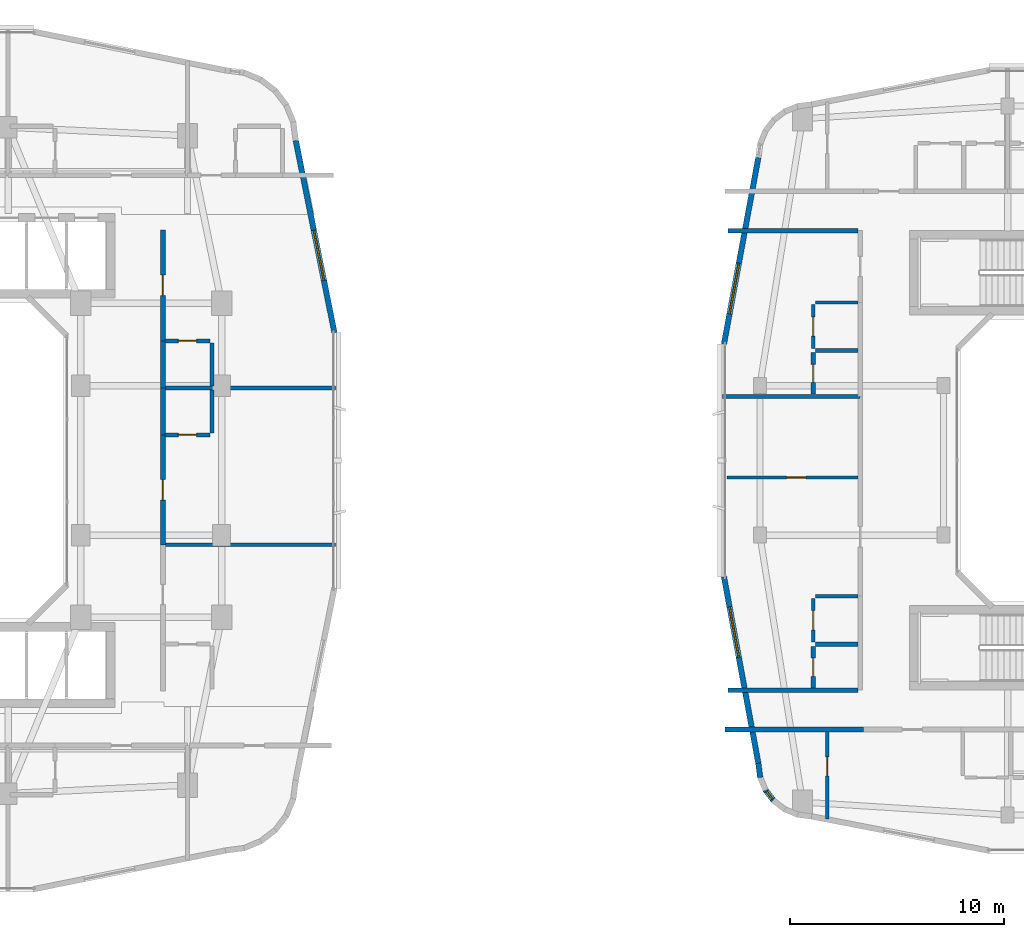
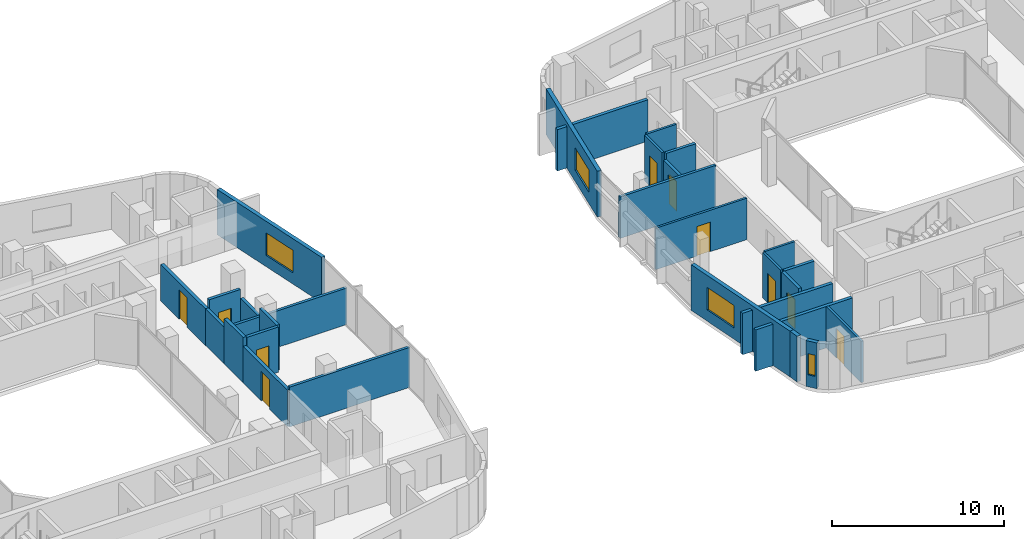
# One storey, part 15 of 26: 29 walls, 10 doors, 4 windows, 14 openings.
"""IFC4 building model written with IfcOpenShell, lengths in metres."""

from ifc_helpers import new_model, si_unit, derived_unit, direction, frame, frame_2d, origin, place, context, subcontext, project, spatial, rectangle, extrude, material, layer, layer_set, type_object, element, fill, save


model = new_model("IFC4")

# Units and contexts
model_context = context("Model", 3, precision=1e-05, world=origin(), true_north=direction((0.0, 1.0)))
body_context = subcontext(model_context, "Body", "Model", "MODEL_VIEW")
ifc_project = project(units=[si_unit("LENGTHUNIT", "METRE"), si_unit("AREAUNIT", "SQUARE_METRE"), si_unit("VOLUMEUNIT", "CUBIC_METRE"), si_unit("PLANEANGLEUNIT", "RADIAN"), si_unit("MASSUNIT", "GRAM", prefix="KILO"), derived_unit("THERMALTRANSMITTANCEUNIT", [(si_unit("POWERUNIT", "WATT"), 1), (si_unit("LENGTHUNIT", "METRE"), -2), (si_unit("THERMODYNAMICTEMPERATUREUNIT", "KELVIN"), -1)])], contexts=[model_context])

# Site, building, storey
site_placement = place(None, origin())
site = spatial("IfcSite", under=ifc_project, at=site_placement, CompositionType="ELEMENT")
building_placement = place(site_placement, origin())
building = spatial("IfcBuilding", under=site, at=building_placement, Name="Kivonza Crest Hotel", CompositionType="ELEMENT")
storey_placement = place(building_placement, frame((0.0, 0.0, 102.0)))
storey = spatial("IfcBuildingStorey", under=building, at=storey_placement, Name="L27", CompositionType="ELEMENT", Elevation=102.0)

# Walls
ifc_material_1 = material(Name="High-density acoustic masonry inter-tenancy wall", Category="masonry")
ifc_layer_1 = layer(ifc_material_1, 0.179931640625)
ifc_layer_set_1 = layer_set([ifc_layer_1], Name="High-density acoustic masonry inter-tenancy wall")
wall_type_1 = type_object("IfcWallType", Name="WL-ACOU-180", PredefinedType="SOLIDWALL", material=ifc_layer_set_1)
wall_1_placement = place(storey_placement, frame((33.050048828125, 21.049072265625, 0.0), z_axis=(0.0, 0.0, 1.0), x_axis=(1.0, 0.0, 0.0)))
element("IfcWall", 1, at=wall_1_placement, inside=storey, type_object=wall_type_1, Name="L27 interior partition WA-L27-T1E-DIV1", PredefinedType="SOLIDWALL", context=body_context, shape_type="SweptSolid", body=[
    extrude(rectangle(XDim=8.08984375, YDim=0.179931640625, at=frame_2d((4.044921875, 0.0))), origin(), (0.0, 0.0, 1.0), 2.8349609375),
])
wall_2_placement = place(storey_placement, frame((33.050048828125, 28.39306640625, 0.0), z_axis=(0.0, 0.0, 1.0), x_axis=(1.0, 0.0, 0.0)))
element("IfcWall", 2, at=wall_2_placement, inside=storey, type_object=wall_type_1, Name="L27 interior partition WA-L27-T1E-DIV2", PredefinedType="SOLIDWALL", context=body_context, shape_type="SweptSolid", body=[
    extrude(rectangle(XDim=8.08984375, YDim=0.179931640625, at=frame_2d((4.044921875, 0.0))), origin(), (0.0, 0.0, 1.0), 2.594970703125),
])
wall_3_placement = place(storey_placement, frame((59.260009765625, 28.0, 0.0), z_axis=(0.0, 0.0, 1.0), x_axis=(1.0, 0.0, 0.0)))
element("IfcWall", 3, at=wall_3_placement, inside=storey, type_object=wall_type_1, Name="L27 interior partition WA-L27-T2W-DIV1", PredefinedType="SOLIDWALL", context=body_context, shape_type="SweptSolid", body=[
    extrude(rectangle(XDim=6.43994140625, YDim=0.179931640625, at=frame_2d((3.219970703125, 0.0))), origin(), (0.0, 0.0, 1.0), 2.945068359375),
])
ifc_material_2 = material(Name="Autoclaved aerated concrete blockwork", Category="masonry")
ifc_layer_2 = layer(ifc_material_2, 0.219970703125)
ifc_layer_set_2 = layer_set([ifc_layer_2], Name="Autoclaved aerated concrete blockwork")
wall_type_2 = type_object("IfcWallType", Name="WL-ACOU-220", PredefinedType="SOLIDWALL", material=ifc_layer_set_2)
wall_4_placement = place(storey_placement, frame((33.050048828125, 26.193115234375, 0.0), z_axis=(0.0, 0.0, 1.0), x_axis=(0.0, 1.0, 0.0)))
element("IfcWall", 4, at=wall_4_placement, inside=storey, type_object=wall_type_2, Name="L27 interior partition WA-L27-E11-BCORR", PredefinedType="SOLIDWALL", context=body_context, shape_type="SweptSolid", body=[
    extrude(rectangle(XDim=2.199951171875, YDim=0.219970703125, at=frame_2d((1.10009765625, 0.0))), origin(), (0.0, 0.0, 1.0), 3.219970703125),
])

# Wall, opening, door
wall_5_placement = place(storey_placement, frame((33.050048828125, 21.049072265625, 0.0), z_axis=(0.0, 0.0, 1.0), x_axis=(0.0, 1.0, 0.0)))
wall_5 = element("IfcWall", 5, at=wall_5_placement, inside=storey, type_object=wall_type_2, Name="L27 interior partition WA-L27-E11-MCORR", PredefinedType="SOLIDWALL", context=body_context, shape_type="SweptSolid", body=[
    extrude(rectangle(XDim=5.14404296875, YDim=0.219970703125, at=frame_2d((2.572021484375, 0.0))), origin(), (0.0, 0.0, 1.0), 2.594970703125),
])
opening_1_placement = place(wall_5_placement, frame((2.096923828125, 0.0, 0.0)))
opening_1 = element("IfcOpeningElement", 6, at=opening_1_placement, cuts=wall_5, Name="Opening DU-60", PredefinedType="OPENING", context=body_context, shape_type="SweptSolid", body=[
    extrude(rectangle(XDim=0.949951171875, YDim=2.10009765625, at=frame_2d((0.47509765625, 1.050048828125))), frame((0.0, 0.1201171875, 0.0), z_axis=(0.0, -1.0, 0.0), x_axis=(1.0, 0.0, 0.0)), (0.0, 0.0, 1.0), 0.239990234375),
])
ifc_material_3 = material(Name="Hardwood timber oak", Category="wood")
door_type_1 = type_object("IfcDoorType", Name="DR-UNIT-950", OperationType="NOTDEFINED", PredefinedType="DOOR", material=ifc_material_3)
door_1_placement = place(opening_1_placement, frame((0.949951171875, 0.0, 0.0), z_axis=(0.0, 0.0, 1.0), x_axis=(-1.0, 0.0, 0.0)))
door_1 = element("IfcDoor", 7, at=door_1_placement, inside=storey, type_object=door_type_1, Name="L27 E11 guest unit entrance fire door", OperationType="SINGLE_SWING_LEFT", OverallHeight=2.10009765625, OverallWidth=0.949951171875, PredefinedType="DOOR", context=body_context, shape_type="SweptSolid", body=[
    extrude(rectangle(XDim=0.949951171875, YDim=2.10009765625, at=frame_2d((0.47509765625, 1.050048828125))), frame((0.0, 0.02490234375, 0.0), z_axis=(0.0, -1.0, 0.0), x_axis=(1.0, 0.0, 0.0)), (0.0, 0.0, 1.0), 0.050048828125),
])
fill(opening_1, door_1)

# Wall
wall_6_placement = place(storey_placement, frame((33.050048828125, 28.39306640625, 0.0), z_axis=(0.0, 0.0, 1.0), x_axis=(0.0, 1.0, 0.0)))
element("IfcWall", 8, at=wall_6_placement, inside=storey, type_object=wall_type_2, Name="L27 interior partition WA-L27-E12-BCORR", PredefinedType="SOLIDWALL", context=body_context, shape_type="SweptSolid", body=[
    extrude(rectangle(XDim=2.199951171875, YDim=0.219970703125, at=frame_2d((1.10009765625, 0.0))), origin(), (0.0, 0.0, 1.0), 2.594970703125),
])

# Wall, opening, door
wall_7_placement = place(storey_placement, frame((33.050048828125, 30.593017578125, 0.0), z_axis=(0.0, 0.0, 1.0), x_axis=(0.0, 1.0, 0.0)))
wall_7 = element("IfcWall", 9, at=wall_7_placement, inside=storey, type_object=wall_type_2, Name="L27 interior partition WA-L27-E12-MCORR", PredefinedType="SOLIDWALL", context=body_context, shape_type="SweptSolid", body=[
    extrude(rectangle(XDim=5.20703125, YDim=0.219970703125, at=frame_2d((2.603515625, 0.0))), origin(), (0.0, 0.0, 1.0), 2.594970703125),
])
opening_2_placement = place(wall_7_placement, frame((2.1279296875, 0.0, 0.0)))
opening_2 = element("IfcOpeningElement", 10, at=opening_2_placement, cuts=wall_7, Name="Opening DU-60", PredefinedType="OPENING", context=body_context, shape_type="SweptSolid", body=[
    extrude(rectangle(XDim=0.949951171875, YDim=2.10009765625, at=frame_2d((0.47509765625, 1.050048828125))), frame((0.0, 0.1201171875, 0.0), z_axis=(0.0, -1.0, 0.0), x_axis=(1.0, 0.0, 0.0)), (0.0, 0.0, 1.0), 0.239990234375),
])
door_2_placement = place(opening_2_placement, frame((0.949951171875, 0.0, 0.0), z_axis=(0.0, 0.0, 1.0), x_axis=(-1.0, 0.0, 0.0)))
door_2 = element("IfcDoor", 11, at=door_2_placement, inside=storey, type_object=door_type_1, Name="L27 E12 guest unit entrance fire door", OperationType="SINGLE_SWING_RIGHT", OverallHeight=2.10009765625, OverallWidth=0.949951171875, PredefinedType="DOOR", context=body_context, shape_type="SweptSolid", body=[
    extrude(rectangle(XDim=0.949951171875, YDim=2.10009765625, at=frame_2d((0.47509765625, 1.050048828125))), frame((0.0, 0.02490234375, 0.0), z_axis=(0.0, -1.0, 0.0), x_axis=(1.0, 0.0, 0.0)), (0.0, 0.0, 1.0), 0.050048828125),
])
fill(opening_2, door_2)

# Walls
wall_8_placement = place(storey_placement, frame((59.360107421875, 12.39990234375, 0.0), z_axis=(0.0, 0.0, 1.0), x_axis=(1.0, 0.0, 0.0)))
element("IfcWall", 12, at=wall_8_placement, inside=storey, type_object=wall_type_2, Name="L27 interior partition WA-L27-A04-LCORR", PredefinedType="SOLIDWALL", context=body_context, shape_type="SweptSolid", body=[
    extrude(rectangle(XDim=6.489990234375, YDim=0.219970703125, at=frame_2d((3.2451171875, 0.0))), origin(), (0.0, 0.0, 1.0), 2.945068359375),
])
for number, where, z_axis, x_axis, name in (
    (13, (59.52001953125, 14.239990234375, 0.0), (0.0, 0.0, 1.0), (1.0, 0.0, 0.0), "L27 interior partition WA-L27-T2W-ENDS"),
    (14, (59.52001953125, 35.760009765625, 0.0), (0.0, 0.0, 1.0), (1.0, 0.0, 0.0), "L27 interior partition WA-L27-T2W-ENDN"),
):
    element("IfcWall", number, at=place(storey_placement, frame(where, z_axis=z_axis, x_axis=x_axis)), inside=storey, type_object=wall_type_2, Name=name, PredefinedType="SOLIDWALL", context=body_context, shape_type="SweptSolid", body=[
        extrude(rectangle(XDim=6.080078125, YDim=0.219970703125, at=frame_2d((3.0400390625, 0.0))), origin(), (0.0, 0.0, 1.0), 2.945068359375),
    ])

# Wall, opening, window
ifc_material_4 = material(Name="Precast concrete C40/50", Category="concrete")
ifc_layer_3 = layer(ifc_material_4, 0.260009765625)
ifc_layer_set_3 = layer_set([ifc_layer_3], Name="Precast concrete C40/50")
wall_type_3 = type_object("IfcWallType", Name="WL-EXT-260", PredefinedType="STANDARD", material=ifc_layer_set_3)
wall_9_placement = place(storey_placement, frame((41.083984375, 30.97998046875, 0.0), z_axis=(0.0, 0.0, 1.0), x_axis=(-0.197435082048, 0.980315963543, 0.0)))
wall_9 = element("IfcWall", 15, at=wall_9_placement, inside=storey, type_object=wall_type_3, Name="L27 T1 exterior insulated wall 18", PredefinedType="STANDARD", context=body_context, shape_type="SweptSolid", body=[
    extrude(rectangle(XDim=9.1826171875, YDim=0.260009765625, at=frame_2d((4.59130859375, 0.0))), origin(), (0.0, 0.0, 1.0), 3.219970703125),
])
opening_3_placement = place(wall_9_placement, frame((2.4970703125, 0.0, 0.800048828125)))
opening_3 = element("IfcOpeningElement", 16, at=opening_3_placement, cuts=wall_9, Name="Opening WN-05", PredefinedType="OPENING", context=body_context, shape_type="SweptSolid", body=[
    extrude(rectangle(XDim=2.39990234375, YDim=1.60009765625, at=frame_2d((1.199951171875, 0.800048828125))), frame((0.0, 0.14013671875, 0.0), z_axis=(0.0, -1.0, 0.0), x_axis=(1.0, 0.0, 0.0)), (0.0, 0.0, 1.0), 0.280029296875),
])
ifc_material_5 = material(Name="Thermally broken bronze aluminium and low-E double glazing", Category="aluminium")
window_type_1 = type_object("IfcWindowType", Name="WN-240x160", PartitioningType="TRIPLE_PANEL_VERTICAL", PredefinedType="WINDOW", material=ifc_material_5)
window_1_placement = place(opening_3_placement, origin())
window_1 = element("IfcWindow", 17, at=window_1_placement, inside=storey, type_object=window_type_1, Name="L27 T1 facade window 18", OverallHeight=1.60009765625, OverallWidth=2.39990234375, PartitioningType="SINGLE_PANEL", PredefinedType="WINDOW", context=body_context, shape_type="SweptSolid", body=[
    extrude(rectangle(XDim=2.39990234375, YDim=1.60009765625, at=frame_2d((1.199951171875, 0.800048828125))), frame((0.0, 0.030029296875, 0.0), z_axis=(0.0, -1.0, 0.0), x_axis=(1.0, 0.0, 0.0)), (0.0, 0.0, 1.0), 0.06005859375),
])
fill(opening_3, window_1)

# Wall
wall_10_placement = place(storey_placement, frame((60.927978515625, 10.824951171875, 0.0), z_axis=(0.0, 0.0, 1.0), x_axis=(0.131667498923, -0.991293937098, 0.0)))
element("IfcWall", 18, at=wall_10_placement, inside=storey, type_object=wall_type_3, Name="L27 T2 exterior insulated wall 1", PredefinedType="STANDARD", context=body_context, shape_type="SweptSolid", body=[
    extrude(rectangle(XDim=0.6767578125, YDim=0.260009765625, at=frame_2d((0.33837890625, 0.0))), origin(), (0.0, 0.0, 1.0), 3.25),
])

# Wall, opening, window
wall_11_placement = place(storey_placement, frame((61.236083984375, 9.59912109375, 0.0), z_axis=(0.0, 0.0, 1.0), x_axis=(0.609472651958, -0.792807092876, 0.0)))
wall_11 = element("IfcWall", 19, at=wall_11_placement, inside=storey, type_object=wall_type_3, Name="L27 T2 exterior insulated wall 3", PredefinedType="STANDARD", context=body_context, shape_type="SweptSolid", body=[
    extrude(rectangle(XDim=0.69384765625, YDim=0.260009765625, at=frame_2d((0.346923828125, 0.0))), origin(), (0.0, 0.0, 1.0), 3.25),
])
opening_4_placement = place(wall_11_placement, frame((0.1220703125, 0.0, 0.85009765625)))
opening_4 = element("IfcOpeningElement", 20, at=opening_4_placement, cuts=wall_11, Name="Opening WN-11", PredefinedType="OPENING", context=body_context, shape_type="SweptSolid", body=[
    extrude(rectangle(XDim=0.449951171875, YDim=1.5, at=frame_2d((0.22509765625, 0.75))), frame((0.0, 0.14013671875, 0.0), z_axis=(0.0, -1.0, 0.0), x_axis=(1.0, 0.0, 0.0)), (0.0, 0.0, 1.0), 0.280029296875),
])
window_type_2 = type_object("IfcWindowType", Name="WN-045x150", PartitioningType="SINGLE_PANEL", PredefinedType="WINDOW", material=ifc_material_5)
window_2_placement = place(opening_4_placement, origin())
window_2 = element("IfcWindow", 21, at=window_2_placement, inside=storey, type_object=window_type_2, Name="L27 corner vision window 5", OverallHeight=1.5, OverallWidth=0.449951171875, PartitioningType="SINGLE_PANEL", PredefinedType="WINDOW", context=body_context, shape_type="SweptSolid", body=[
    extrude(rectangle(XDim=0.449951171875, YDim=1.5, at=frame_2d((0.22509765625, 0.75))), frame((0.0, 0.030029296875, 0.0), z_axis=(0.0, -1.0, 0.0), x_axis=(1.0, 0.0, 0.0)), (0.0, 0.0, 1.0), 0.06005859375),
])
fill(opening_4, window_2)

wall_12_placement = place(storey_placement, frame((60.928955078125, 39.18408203125, 0.0), z_axis=(0.0, 0.0, 1.0), x_axis=(-0.181209963057, -0.983444431215, 0.0)))
wall_12 = element("IfcWall", 22, at=wall_12_placement, inside=storey, type_object=wall_type_3, Name="L27 T2 exterior insulated wall 34", PredefinedType="STANDARD", context=body_context, shape_type="SweptSolid", body=[
    extrude(rectangle(XDim=8.889404296875, YDim=0.260009765625, at=frame_2d((4.44482421875, 0.0))), origin(), (0.0, 0.0, 1.0), 3.25),
])
opening_5_placement = place(wall_12_placement, frame((5.044921875, 0.0, 0.800048828125)))
opening_5 = element("IfcOpeningElement", 23, at=opening_5_placement, cuts=wall_12, Name="Opening WN-05", PredefinedType="OPENING", context=body_context, shape_type="SweptSolid", body=[
    extrude(rectangle(XDim=2.39990234375, YDim=1.60009765625, at=frame_2d((1.199951171875, 0.800048828125))), frame((0.0, 0.14013671875, 0.0), z_axis=(0.0, -1.0, 0.0), x_axis=(1.0, 0.0, 0.0)), (0.0, 0.0, 1.0), 0.280029296875),
])
window_3_placement = place(opening_5_placement, origin())
window_3 = element("IfcWindow", 24, at=window_3_placement, inside=storey, type_object=window_type_1, Name="L27 T2 facade window 34", OverallHeight=1.60009765625, OverallWidth=2.39990234375, PartitioningType="SINGLE_PANEL", PredefinedType="WINDOW", context=body_context, shape_type="SweptSolid", body=[
    extrude(rectangle(XDim=2.39990234375, YDim=1.60009765625, at=frame_2d((1.199951171875, 0.800048828125))), frame((0.0, 0.030029296875, 0.0), z_axis=(0.0, -1.0, 0.0), x_axis=(1.0, 0.0, 0.0)), (0.0, 0.0, 1.0), 0.06005859375),
])
fill(opening_5, window_3)

wall_13_placement = place(storey_placement, frame((59.318115234375, 19.55810546875, 0.0), z_axis=(0.0, 0.0, 1.0), x_axis=(0.181209963057, -0.983444431215, 0.0)))
wall_13 = element("IfcWall", 25, at=wall_13_placement, inside=storey, type_object=wall_type_3, Name="L27 T2 exterior insulated wall 36", PredefinedType="STANDARD", context=body_context, shape_type="SweptSolid", body=[
    extrude(rectangle(XDim=8.889404296875, YDim=0.260009765625, at=frame_2d((4.44482421875, 0.0))), origin(), (0.0, 0.0, 1.0), 3.25),
])
opening_6_placement = place(wall_13_placement, frame((1.444091796875, 0.0, 0.800048828125)))
opening_6 = element("IfcOpeningElement", 26, at=opening_6_placement, cuts=wall_13, Name="Opening WN-05", PredefinedType="OPENING", context=body_context, shape_type="SweptSolid", body=[
    extrude(rectangle(XDim=2.39990234375, YDim=1.60009765625, at=frame_2d((1.199951171875, 0.800048828125))), frame((0.0, 0.14013671875, 0.0), z_axis=(0.0, -1.0, 0.0), x_axis=(1.0, 0.0, 0.0)), (0.0, 0.0, 1.0), 0.280029296875),
])
window_4_placement = place(opening_6_placement, origin())
window_4 = element("IfcWindow", 27, at=window_4_placement, inside=storey, type_object=window_type_1, Name="L27 T2 facade window 36", OverallHeight=1.60009765625, OverallWidth=2.39990234375, PartitioningType="SINGLE_PANEL", PredefinedType="WINDOW", context=body_context, shape_type="SweptSolid", body=[
    extrude(rectangle(XDim=2.39990234375, YDim=1.60009765625, at=frame_2d((1.199951171875, 0.800048828125))), frame((0.0, 0.030029296875, 0.0), z_axis=(0.0, -1.0, 0.0), x_axis=(1.0, 0.0, 0.0)), (0.0, 0.0, 1.0), 0.06005859375),
])
fill(opening_6, window_4)

# Wall, opening, door
ifc_material_6 = material(Name="Twin-stud acoustic gypsum board partition", Category="gypsum")
ifc_layer_4 = layer(ifc_material_6, 0.14990234375)
ifc_layer_set_4 = layer_set([ifc_layer_4], Name="Twin-stud acoustic gypsum board partition")
wall_type_4 = type_object("IfcWallType", Name="WL-PART-150", PredefinedType="PARTITIONING", material=ifc_layer_set_4)
wall_14_placement = place(storey_placement, frame((64.159912109375, 8.214111328125, 0.0), z_axis=(0.0, 0.0, 1.0), x_axis=(0.0, 1.0, 0.0)))
wall_14 = element("IfcWall", 28, at=wall_14_placement, inside=storey, type_object=wall_type_4, Name="L27 interior partition WP-L27-A04-BDW1", PredefinedType="PARTITIONING", context=body_context, shape_type="SweptSolid", body=[
    extrude(rectangle(XDim=4.0859375, YDim=0.14990234375, at=frame_2d((2.04296875, 0.0))), origin(), (0.0, 0.0, 1.0), 2.945068359375),
])
opening_7_placement = place(wall_14_placement, frame((2.010009765625, 0.0, 0.0)))
opening_7 = element("IfcOpeningElement", 29, at=opening_7_placement, cuts=wall_14, Name="Opening DI-90", PredefinedType="OPENING", context=body_context, shape_type="SweptSolid", body=[
    extrude(rectangle(XDim=0.89990234375, YDim=2.10009765625, at=frame_2d((0.449951171875, 1.050048828125))), frame((0.0, 0.0849609375, 0.0), z_axis=(0.0, -1.0, 0.0), x_axis=(1.0, 0.0, 0.0)), (0.0, 0.0, 1.0), 0.169921875),
])
door_type_2 = type_object("IfcDoorType", Name="DR-INT-900", OperationType="NOTDEFINED", PredefinedType="DOOR", material=ifc_material_3)
door_3_placement = place(opening_7_placement, origin())
door_3 = element("IfcDoor", 30, at=door_3_placement, inside=storey, type_object=door_type_2, Name="L27 A04 bedroom 1 door", OperationType="SINGLE_SWING_LEFT", OverallHeight=2.10009765625, OverallWidth=0.89990234375, PredefinedType="DOOR", context=body_context, shape_type="SweptSolid", body=[
    extrude(rectangle(XDim=0.89990234375, YDim=2.10009765625, at=frame_2d((0.449951171875, 1.050048828125))), frame((0.0, 0.02490234375, 0.0), z_axis=(0.0, -1.0, 0.0), x_axis=(1.0, 0.0, 0.0)), (0.0, 0.0, 1.0), 0.050048828125),
])
fill(opening_7, door_3)

wall_15_placement = place(storey_placement, frame((59.4599609375, 24.199951171875, 0.0), z_axis=(0.0, 0.0, 1.0), x_axis=(1.0, 0.0, 0.0)))
wall_15 = element("IfcWall", 31, at=wall_15_placement, inside=storey, type_object=wall_type_4, Name="L27 interior partition WP-L27-A06-BD1", PredefinedType="PARTITIONING", context=body_context, shape_type="SweptSolid", body=[
    extrude(rectangle(XDim=6.14013671875, YDim=0.14990234375, at=frame_2d((3.070068359375, 0.0))), origin(), (0.0, 0.0, 1.0), 2.945068359375),
])
opening_8_placement = place(wall_15_placement, frame((2.7900390625, 0.0, 0.0)))
opening_8 = element("IfcOpeningElement", 32, at=opening_8_placement, cuts=wall_15, Name="Opening DI-90", PredefinedType="OPENING", context=body_context, shape_type="SweptSolid", body=[
    extrude(rectangle(XDim=0.89990234375, YDim=2.10009765625, at=frame_2d((0.449951171875, 1.050048828125))), frame((0.0, 0.0849609375, 0.0), z_axis=(0.0, -1.0, 0.0), x_axis=(1.0, 0.0, 0.0)), (0.0, 0.0, 1.0), 0.169921875),
])
door_4_placement = place(opening_8_placement, origin())
door_4 = element("IfcDoor", 33, at=door_4_placement, inside=storey, type_object=door_type_2, Name="L27 A06 bedroom door", OperationType="SINGLE_SWING_LEFT", OverallHeight=2.10009765625, OverallWidth=0.89990234375, PredefinedType="DOOR", context=body_context, shape_type="SweptSolid", body=[
    extrude(rectangle(XDim=0.89990234375, YDim=2.10009765625, at=frame_2d((0.449951171875, 1.050048828125))), frame((0.0, 0.02490234375, 0.0), z_axis=(0.0, -1.0, 0.0), x_axis=(1.0, 0.0, 0.0)), (0.0, 0.0, 1.0), 0.050048828125),
])
fill(opening_8, door_4)

# Wall
wall_16_placement = place(storey_placement, frame((63.60009765625, 18.639892578125, 0.0), z_axis=(0.0, 0.0, 1.0), x_axis=(1.0, 0.0, 0.0)))
element("IfcWall", 34, at=wall_16_placement, inside=storey, type_object=wall_type_4, Name="L27 interior partition WP-L27-A06-KF", PredefinedType="PARTITIONING", context=body_context, shape_type="SweptSolid", body=[
    extrude(rectangle(XDim=2.0, YDim=0.14990234375, at=frame_2d((1.0, 0.0))), origin(), (0.0, 0.0, 1.0), 3.219970703125),
])

# Wall, opening, door
wall_17_placement = place(storey_placement, frame((63.5, 16.489990234375, 0.0), z_axis=(0.0, 0.0, 1.0), x_axis=(0.0, 1.0, 0.0)))
wall_17 = element("IfcWall", 35, at=wall_17_placement, inside=storey, type_object=wall_type_4, Name="L27 interior partition WP-L27-A06-KSVC", PredefinedType="PARTITIONING", context=body_context, shape_type="SweptSolid", body=[
    extrude(rectangle(XDim=2.050048828125, YDim=0.14990234375, at=frame_2d((1.02490234375, 0.0))), origin(), (0.0, 0.0, 1.0), 3.219970703125),
])
opening_9_placement = place(wall_17_placement, frame((0.574951171875, 0.0, 0.0)))
opening_9 = element("IfcOpeningElement", 36, at=opening_9_placement, cuts=wall_17, Name="Opening DI-90", PredefinedType="OPENING", context=body_context, shape_type="SweptSolid", body=[
    extrude(rectangle(XDim=0.89990234375, YDim=2.10009765625, at=frame_2d((0.449951171875, 1.050048828125))), frame((0.0, 0.0849609375, 0.0), z_axis=(0.0, -1.0, 0.0), x_axis=(1.0, 0.0, 0.0)), (0.0, 0.0, 1.0), 0.169921875),
])
door_5_placement = place(opening_9_placement, origin())
door_5 = element("IfcDoor", 37, at=door_5_placement, inside=storey, type_object=door_type_2, Name="L27 A06 apartment kitchen door", OperationType="SINGLE_SWING_RIGHT", OverallHeight=2.10009765625, OverallWidth=0.89990234375, PredefinedType="DOOR", context=body_context, shape_type="SweptSolid", body=[
    extrude(rectangle(XDim=0.89990234375, YDim=2.10009765625, at=frame_2d((0.449951171875, 1.050048828125))), frame((0.0, 0.02490234375, 0.0), z_axis=(0.0, -1.0, 0.0), x_axis=(1.0, 0.0, 0.0)), (0.0, 0.0, 1.0), 0.050048828125),
])
fill(opening_9, door_5)

# Wall
wall_18_placement = place(storey_placement, frame((63.60009765625, 32.39990234375, 0.0), z_axis=(0.0, 0.0, 1.0), x_axis=(1.0, 0.0, 0.0)))
element("IfcWall", 38, at=wall_18_placement, inside=storey, type_object=wall_type_4, Name="L27 interior partition WP-L27-A07-KF", PredefinedType="PARTITIONING", context=body_context, shape_type="SweptSolid", body=[
    extrude(rectangle(XDim=2.0, YDim=0.14990234375, at=frame_2d((1.0, 0.0))), origin(), (0.0, 0.0, 1.0), 3.219970703125),
])

# Wall, opening, door
wall_19_placement = place(storey_placement, frame((63.5, 30.25, 0.0), z_axis=(0.0, 0.0, 1.0), x_axis=(0.0, 1.0, 0.0)))
wall_19 = element("IfcWall", 39, at=wall_19_placement, inside=storey, type_object=wall_type_4, Name="L27 interior partition WP-L27-A07-KSVC", PredefinedType="PARTITIONING", context=body_context, shape_type="SweptSolid", body=[
    extrude(rectangle(XDim=2.050048828125, YDim=0.14990234375, at=frame_2d((1.02490234375, 0.0))), origin(), (0.0, 0.0, 1.0), 3.219970703125),
])
opening_10_placement = place(wall_19_placement, frame((0.574951171875, 0.0, 0.0)))
opening_10 = element("IfcOpeningElement", 40, at=opening_10_placement, cuts=wall_19, Name="Opening DI-90", PredefinedType="OPENING", context=body_context, shape_type="SweptSolid", body=[
    extrude(rectangle(XDim=0.89990234375, YDim=2.10009765625, at=frame_2d((0.449951171875, 1.050048828125))), frame((0.0, 0.0849609375, 0.0), z_axis=(0.0, -1.0, 0.0), x_axis=(1.0, 0.0, 0.0)), (0.0, 0.0, 1.0), 0.169921875),
])
door_6_placement = place(opening_10_placement, origin())
door_6 = element("IfcDoor", 41, at=door_6_placement, inside=storey, type_object=door_type_2, Name="L27 A07 apartment kitchen door", OperationType="SINGLE_SWING_LEFT", OverallHeight=2.10009765625, OverallWidth=0.89990234375, PredefinedType="DOOR", context=body_context, shape_type="SweptSolid", body=[
    extrude(rectangle(XDim=0.89990234375, YDim=2.10009765625, at=frame_2d((0.449951171875, 1.050048828125))), frame((0.0, 0.02490234375, 0.0), z_axis=(0.0, -1.0, 0.0), x_axis=(1.0, 0.0, 0.0)), (0.0, 0.0, 1.0), 0.050048828125),
])
fill(opening_10, door_6)

ifc_material_7 = material(Name="Moisture-resistant plumbing chase partition wall", Category="gypsum")
ifc_layer_5 = layer(ifc_material_7, 0.199951171875)
ifc_layer_set_5 = layer_set([ifc_layer_5], Name="Moisture-resistant plumbing chase partition wall")
wall_type_5 = type_object("IfcWallType", Name="WL-PLUMB-200", PredefinedType="PLUMBINGWALL", material=ifc_layer_set_5)
wall_20_placement = place(storey_placement, frame((33.14990234375, 26.193115234375, 0.0), z_axis=(0.0, 0.0, 1.0), x_axis=(1.0, 0.0, 0.0)))
wall_20 = element("IfcWall", 42, at=wall_20_placement, inside=storey, type_object=wall_type_5, Name="L27 interior partition WW-L27-E11-BH", PredefinedType="PLUMBINGWALL", context=body_context, shape_type="SweptSolid", body=[
    extrude(rectangle(XDim=2.10009765625, YDim=0.199951171875, at=frame_2d((1.050048828125, 0.0))), origin(), (0.0, 0.0, 1.0), 3.219970703125),
])
opening_11_placement = place(wall_20_placement, frame((0.625, 0.0, 0.0)))
opening_11 = element("IfcOpeningElement", 43, at=opening_11_placement, cuts=wall_20, Name="Opening DI-85", PredefinedType="OPENING", context=body_context, shape_type="SweptSolid", body=[
    extrude(rectangle(XDim=0.85009765625, YDim=2.10009765625, at=frame_2d((0.425048828125, 1.050048828125))), frame((0.0, 0.10986328125, 0.0), z_axis=(0.0, -1.0, 0.0), x_axis=(1.0, 0.0, 0.0)), (0.0, 0.0, 1.0), 0.219970703125),
])
door_type_3 = type_object("IfcDoorType", Name="DR-INT-850", OperationType="NOTDEFINED", PredefinedType="DOOR", material=ifc_material_3)
door_7_placement = place(opening_11_placement, frame((0.85009765625, 0.0, 0.0), z_axis=(0.0, 0.0, 1.0), x_axis=(-1.0, 0.0, 0.0)))
door_7 = element("IfcDoor", 44, at=door_7_placement, inside=storey, type_object=door_type_3, Name="L27 E11 en-suite bathroom door", OperationType="SINGLE_SWING_RIGHT", OverallHeight=2.10009765625, OverallWidth=0.85009765625, PredefinedType="DOOR", context=body_context, shape_type="SweptSolid", body=[
    extrude(rectangle(XDim=0.85009765625, YDim=2.10009765625, at=frame_2d((0.425048828125, 1.050048828125))), frame((0.0, 0.02490234375, 0.0), z_axis=(0.0, -1.0, 0.0), x_axis=(1.0, 0.0, 0.0)), (0.0, 0.0, 1.0), 0.050048828125),
])
fill(opening_11, door_7)

# Wall
wall_21_placement = place(storey_placement, frame((35.35009765625, 26.29296875, 0.0), z_axis=(0.0, 0.0, 1.0), x_axis=(0.0, 1.0, 0.0)))
element("IfcWall", 45, at=wall_21_placement, inside=storey, type_object=wall_type_5, Name="L27 interior partition WW-L27-E11-BV", PredefinedType="PLUMBINGWALL", context=body_context, shape_type="SweptSolid", body=[
    extrude(rectangle(XDim=2.0, YDim=0.199951171875, at=frame_2d((1.0, 0.0))), origin(), (0.0, 0.0, 1.0), 3.219970703125),
])

# Wall, opening, door
wall_22_placement = place(storey_placement, frame((33.14990234375, 30.593017578125, 0.0), z_axis=(0.0, 0.0, 1.0), x_axis=(1.0, 0.0, 0.0)))
wall_22 = element("IfcWall", 46, at=wall_22_placement, inside=storey, type_object=wall_type_5, Name="L27 interior partition WW-L27-E12-BH", PredefinedType="PLUMBINGWALL", context=body_context, shape_type="SweptSolid", body=[
    extrude(rectangle(XDim=2.10009765625, YDim=0.199951171875, at=frame_2d((1.050048828125, 0.0))), origin(), (0.0, 0.0, 1.0), 3.219970703125),
])
opening_12_placement = place(wall_22_placement, frame((0.625, 0.0, 0.0)))
opening_12 = element("IfcOpeningElement", 47, at=opening_12_placement, cuts=wall_22, Name="Opening DI-85", PredefinedType="OPENING", context=body_context, shape_type="SweptSolid", body=[
    extrude(rectangle(XDim=0.85009765625, YDim=2.10009765625, at=frame_2d((0.425048828125, 1.050048828125))), frame((0.0, 0.10986328125, 0.0), z_axis=(0.0, -1.0, 0.0), x_axis=(1.0, 0.0, 0.0)), (0.0, 0.0, 1.0), 0.219970703125),
])
door_8_placement = place(opening_12_placement, origin())
door_8 = element("IfcDoor", 48, at=door_8_placement, inside=storey, type_object=door_type_3, Name="L27 E12 en-suite bathroom door", OperationType="SINGLE_SWING_LEFT", OverallHeight=2.10009765625, OverallWidth=0.85009765625, PredefinedType="DOOR", context=body_context, shape_type="SweptSolid", body=[
    extrude(rectangle(XDim=0.85009765625, YDim=2.10009765625, at=frame_2d((0.425048828125, 1.050048828125))), frame((0.0, 0.02490234375, 0.0), z_axis=(0.0, -1.0, 0.0), x_axis=(1.0, 0.0, 0.0)), (0.0, 0.0, 1.0), 0.050048828125),
])
fill(opening_12, door_8)

# Walls
wall_23_placement = place(storey_placement, frame((35.35009765625, 28.492919921875, 0.0), z_axis=(0.0, 0.0, 1.0), x_axis=(0.0, 1.0, 0.0)))
element("IfcWall", 49, at=wall_23_placement, inside=storey, type_object=wall_type_5, Name="L27 interior partition WW-L27-E12-BV", PredefinedType="PLUMBINGWALL", context=body_context, shape_type="SweptSolid", body=[
    extrude(rectangle(XDim=2.0, YDim=0.199951171875, at=frame_2d((1.0, 0.0))), origin(), (0.0, 0.0, 1.0), 2.594970703125),
])
wall_24_placement = place(storey_placement, frame((63.60009765625, 16.389892578125, 0.0), z_axis=(0.0, 0.0, 1.0), x_axis=(1.0, 0.0, 0.0)))
element("IfcWall", 50, at=wall_24_placement, inside=storey, type_object=wall_type_5, Name="L27 interior partition WW-L27-A06-BK", PredefinedType="PLUMBINGWALL", context=body_context, shape_type="SweptSolid", body=[
    extrude(rectangle(XDim=2.0, YDim=0.199951171875, at=frame_2d((1.0, 0.0))), origin(), (0.0, 0.0, 1.0), 3.219970703125),
])

# Wall, opening, door
wall_25_placement = place(storey_placement, frame((63.5, 14.340087890625, 0.0), z_axis=(0.0, 0.0, 1.0), x_axis=(0.0, 1.0, 0.0)))
wall_25 = element("IfcWall", 51, at=wall_25_placement, inside=storey, type_object=wall_type_5, Name="L27 interior partition WW-L27-A06-BSVC", PredefinedType="PLUMBINGWALL", context=body_context, shape_type="SweptSolid", body=[
    extrude(rectangle(XDim=1.949951171875, YDim=0.199951171875, at=frame_2d((0.97509765625, 0.0))), origin(), (0.0, 0.0, 1.0), 3.219970703125),
])
opening_13_placement = place(wall_25_placement, frame((0.550048828125, 0.0, 0.0)))
opening_13 = element("IfcOpeningElement", 52, at=opening_13_placement, cuts=wall_25, Name="Opening DI-85", PredefinedType="OPENING", context=body_context, shape_type="SweptSolid", body=[
    extrude(rectangle(XDim=0.85009765625, YDim=2.10009765625, at=frame_2d((0.425048828125, 1.050048828125))), frame((0.0, 0.10986328125, 0.0), z_axis=(0.0, -1.0, 0.0), x_axis=(1.0, 0.0, 0.0)), (0.0, 0.0, 1.0), 0.219970703125),
])
door_9_placement = place(opening_13_placement, origin())
door_9 = element("IfcDoor", 53, at=door_9_placement, inside=storey, type_object=door_type_3, Name="L27 A06 apartment bathroom door", OperationType="SINGLE_SWING_LEFT", OverallHeight=2.10009765625, OverallWidth=0.85009765625, PredefinedType="DOOR", context=body_context, shape_type="SweptSolid", body=[
    extrude(rectangle(XDim=0.85009765625, YDim=2.10009765625, at=frame_2d((0.425048828125, 1.050048828125))), frame((0.0, 0.02490234375, 0.0), z_axis=(0.0, -1.0, 0.0), x_axis=(1.0, 0.0, 0.0)), (0.0, 0.0, 1.0), 0.050048828125),
])
fill(opening_13, door_9)

# Wall
wall_26_placement = place(storey_placement, frame((63.60009765625, 30.14990234375, 0.0), z_axis=(0.0, 0.0, 1.0), x_axis=(1.0, 0.0, 0.0)))
element("IfcWall", 54, at=wall_26_placement, inside=storey, type_object=wall_type_5, Name="L27 interior partition WW-L27-A07-BK", PredefinedType="PLUMBINGWALL", context=body_context, shape_type="SweptSolid", body=[
    extrude(rectangle(XDim=2.0, YDim=0.199951171875, at=frame_2d((1.0, 0.0))), origin(), (0.0, 0.0, 1.0), 3.219970703125),
])

# Wall, opening, door
wall_27_placement = place(storey_placement, frame((63.5, 28.10009765625, 0.0), z_axis=(0.0, 0.0, 1.0), x_axis=(0.0, 1.0, 0.0)))
wall_27 = element("IfcWall", 55, at=wall_27_placement, inside=storey, type_object=wall_type_5, Name="L27 interior partition WW-L27-A07-BSVC", PredefinedType="PLUMBINGWALL", context=body_context, shape_type="SweptSolid", body=[
    extrude(rectangle(XDim=1.949951171875, YDim=0.199951171875, at=frame_2d((0.97509765625, 0.0))), origin(), (0.0, 0.0, 1.0), 2.824951171875),
])
opening_14_placement = place(wall_27_placement, frame((0.550048828125, 0.0, 0.0)))
opening_14 = element("IfcOpeningElement", 56, at=opening_14_placement, cuts=wall_27, Name="Opening DI-85", PredefinedType="OPENING", context=body_context, shape_type="SweptSolid", body=[
    extrude(rectangle(XDim=0.85009765625, YDim=2.10009765625, at=frame_2d((0.425048828125, 1.050048828125))), frame((0.0, 0.10986328125, 0.0), z_axis=(0.0, -1.0, 0.0), x_axis=(1.0, 0.0, 0.0)), (0.0, 0.0, 1.0), 0.219970703125),
])
door_10_placement = place(opening_14_placement, origin())
door_10 = element("IfcDoor", 57, at=door_10_placement, inside=storey, type_object=door_type_3, Name="L27 A07 apartment bathroom door", OperationType="SINGLE_SWING_RIGHT", OverallHeight=2.10009765625, OverallWidth=0.85009765625, PredefinedType="DOOR", context=body_context, shape_type="SweptSolid", body=[
    extrude(rectangle(XDim=0.85009765625, YDim=2.10009765625, at=frame_2d((0.425048828125, 1.050048828125))), frame((0.0, 0.02490234375, 0.0), z_axis=(0.0, -1.0, 0.0), x_axis=(1.0, 0.0, 0.0)), (0.0, 0.0, 1.0), 0.050048828125),
])
fill(opening_14, door_10)

save(model, "model.ifc")
